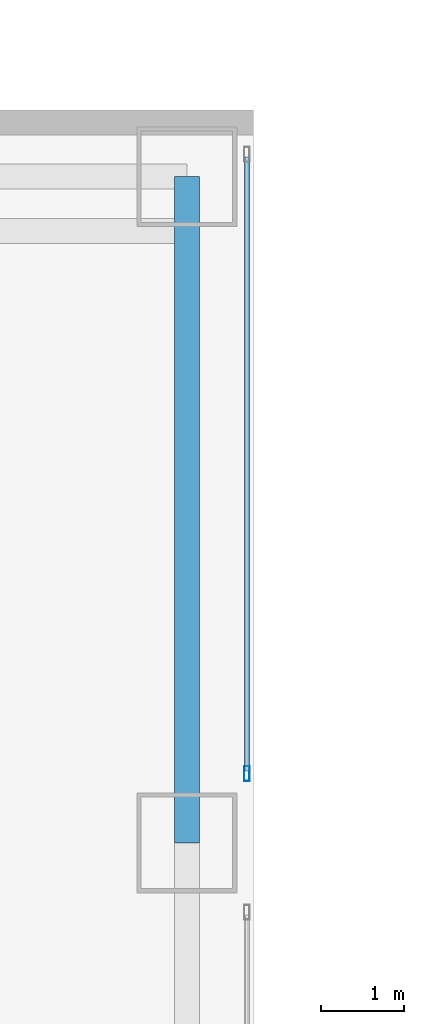
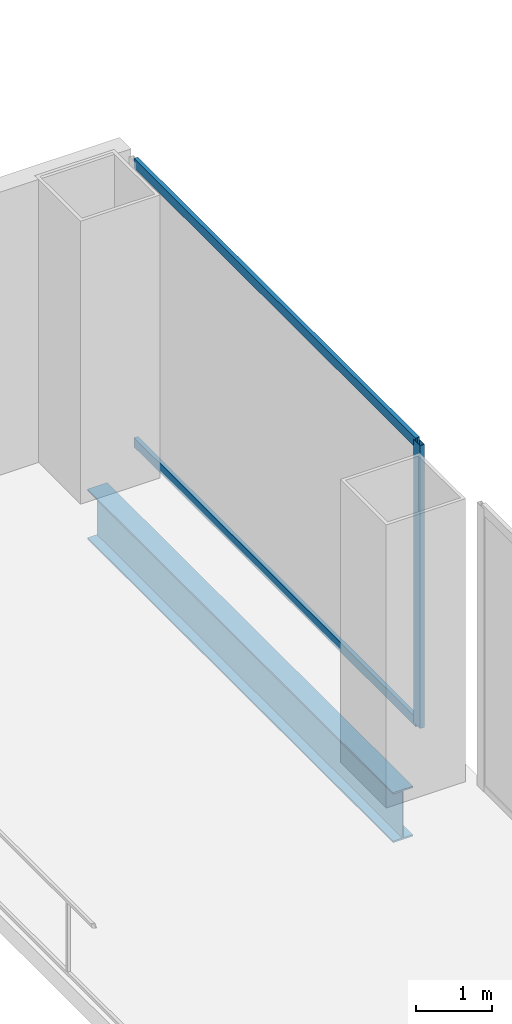
# One storey, part 44 of 58: 3 members, 1 beam, 1 element without a shape of its own.
"""IFC4 building model written with IfcOpenShell, lengths in metres."""

from ifc_helpers import new_model, si_unit, direction, frame, origin, origin_2d, place, context, subcontext, project, spatial, hollow_rectangle, i_section, extrude, source, transform, mapped, material, layer, layer_set, material_profile, profile_set, type_object, element, aggregate, save


model = new_model("IFC4")

# Units and contexts
model_context = context("Model", 3, precision=1e-05, world=origin(), true_north=direction((0.0, 1.0)))
body_context = subcontext(model_context, "Body", "Model", "MODEL_VIEW")
ifc_project = project(units=[si_unit("LENGTHUNIT", "METRE"), si_unit("AREAUNIT", "SQUARE_METRE"), si_unit("VOLUMEUNIT", "CUBIC_METRE"), si_unit("PLANEANGLEUNIT", "RADIAN"), si_unit("MASSUNIT", "GRAM", prefix="KILO"), si_unit("THERMODYNAMICTEMPERATUREUNIT", "KELVIN"), si_unit("POWERUNIT", "WATT")], contexts=[model_context])

# Site, building, storey
site_placement = place(None, origin())
site = spatial("IfcSite", under=ifc_project, at=site_placement, CompositionType="ELEMENT")
building_placement = place(site_placement, origin())
building = spatial("IfcBuilding", under=site, at=building_placement, Name="Yunzhuo Pagoda Commons", CompositionType="ELEMENT")
storey_placement = place(building_placement, origin())
storey = spatial("IfcBuildingStorey", under=building, at=storey_placement, Name="L01", CompositionType="ELEMENT", Elevation=0.0)

# Beam
ifc_material_1 = material(Name="Structural steel Q355B", Category="steel")
ifc_material_profile_1 = material_profile(ifc_material_1, i_section(OverallWidth=0.300048828125, OverallDepth=0.800048828125, WebThickness=0.013916015625, FlangeThickness=0.02587890625, at=origin_2d()), Name="Structural steel Q355B")
ifc_profile_set_1 = profile_set([ifc_material_profile_1], Name="Structural steel Q355B")
beam_type = type_object("IfcBeamType", Name="B-PD2 Beam HN 800x300x14x26", PredefinedType="BEAM", material=ifc_profile_set_1)
shared_shape_1 = source(origin(), body_context, "Body", "SweptSolid", [
    extrude(i_section(OverallWidth=0.300048828125, OverallDepth=0.800048828125, WebThickness=0.013916015625, FlangeThickness=0.02587890625, at=origin_2d()), origin(), (0.0, 0.0, 1.0), 8.0),
])
beam_placement = place(storey_placement, frame((91.199951171875, 81.199951171875, -0.679931640625), z_axis=(0.0, 1.0, 0.0), x_axis=(-1.0, 0.0, 0.0)))
element("IfcBeam", 1, at=beam_placement, inside=storey, type_object=beam_type, Name="L01 podium girder NS 6.5", PredefinedType="BEAM", context=body_context, shape_type="MappedRepresentation", body=[
    mapped(shared_shape_1, transform((0.0, 0.0, 0.0), scale=1.0)),
])

# Curtain wall, members
ifc_material_2 = material(Name="Anodized aluminium 6063-T6", Category="aluminium")
ifc_layer = layer(ifc_material_2, 0.179931640625)
ifc_layer_set = layer_set([ifc_layer], Name="Anodized aluminium 6063-T6")
curtain_wall_type = type_object("IfcCurtainWallType", Name="CW-POD Waterfront Podium Curtain Wall", PredefinedType="NOTDEFINED", material=ifc_layer_set)
curtain_wall_placement = place(storey_placement, origin())
curtain_wall = element("IfcCurtainWall", 2, at=curtain_wall_placement, inside=storey, type_object=curtain_wall_type, Name="L01 curtain wall CW-L01-E5", PredefinedType="NOTDEFINED")
ifc_material_profile_2 = material_profile(ifc_material_2, hollow_rectangle(XDim=0.06494140625, YDim=0.179931640625, WallThickness=0.00390625, at=origin_2d()), Name="Anodized aluminium 6063-T6")
ifc_profile_set_2 = profile_set([ifc_material_profile_2], Name="Anodized aluminium 6063-T6")
member_type_1 = type_object("IfcMemberType", Name="CW-POD-M Mullion RHS 180x65x4", PredefinedType="MULLION", material=ifc_profile_set_2)
shared_shape_2 = source(origin(), body_context, "Body", "SweptSolid", [
    extrude(hollow_rectangle(XDim=0.06494140625, YDim=0.179931640625, WallThickness=0.00390625, at=origin_2d()), origin(), (0.0, 0.0, 1.0), 4.520263671875),
])
member_1_placement = place(storey_placement, frame((91.919921875, 82.032470703125, 0.0), z_axis=(0.0, 0.0, 1.0), x_axis=(-1.0, 0.0, 0.0)))
member_1 = element("IfcMember", 3, at=member_1_placement, type_object=member_type_1, Name="CW mullion 1", PredefinedType="MULLION", context=body_context, shape_type="MappedRepresentation", body=[
    mapped(shared_shape_2, transform((0.0, 0.0, 0.0), scale=1.0)),
])
ifc_material_profile_3 = material_profile(ifc_material_2, hollow_rectangle(XDim=0.06005859375, YDim=0.14990234375, WallThickness=0.00390625, at=origin_2d()), Name="Anodized aluminium 6063-T6")
ifc_profile_set_3 = profile_set([ifc_material_profile_3], Name="Anodized aluminium 6063-T6")
member_type_2 = type_object("IfcMemberType", Name="CW-POD-T Transom RHS 150x60x4", PredefinedType="USERDEFINED", material=ifc_profile_set_3)
shared_shape_3 = source(origin(), body_context, "Body", "SweptSolid", [
    extrude(hollow_rectangle(XDim=0.06005859375, YDim=0.14990234375, WallThickness=0.00390625, at=origin_2d()), origin(), (0.0, 0.0, 1.0), 7.3701171875),
])
member_2_placement = place(storey_placement, frame((91.919921875, 82.06494140625, 0.030029296875), z_axis=(0.0, 1.0, 0.0), x_axis=(-1.0, 0.0, 0.0)))
member_2 = element("IfcMember", 4, at=member_2_placement, type_object=member_type_2, Name="CW transom 1.1", ObjectType="TRANSOM", PredefinedType="USERDEFINED", context=body_context, shape_type="MappedRepresentation", body=[
    mapped(shared_shape_3, transform((0.0, 0.0, 0.0), scale=1.0)),
])
member_3_placement = place(storey_placement, frame((91.919921875, 82.06494140625, 4.489990234375), z_axis=(0.0, 1.0, 0.0), x_axis=(-1.0, 0.0, 0.0)))
member_3 = element("IfcMember", 5, at=member_3_placement, type_object=member_type_2, Name="CW transom 1.2", ObjectType="TRANSOM", PredefinedType="USERDEFINED", context=body_context, shape_type="MappedRepresentation", body=[
    mapped(shared_shape_3, transform((0.0, 0.0, 0.0), scale=1.0)),
])
aggregate(curtain_wall, [member_1, member_2, member_3])

save(model, "model.ifc")
